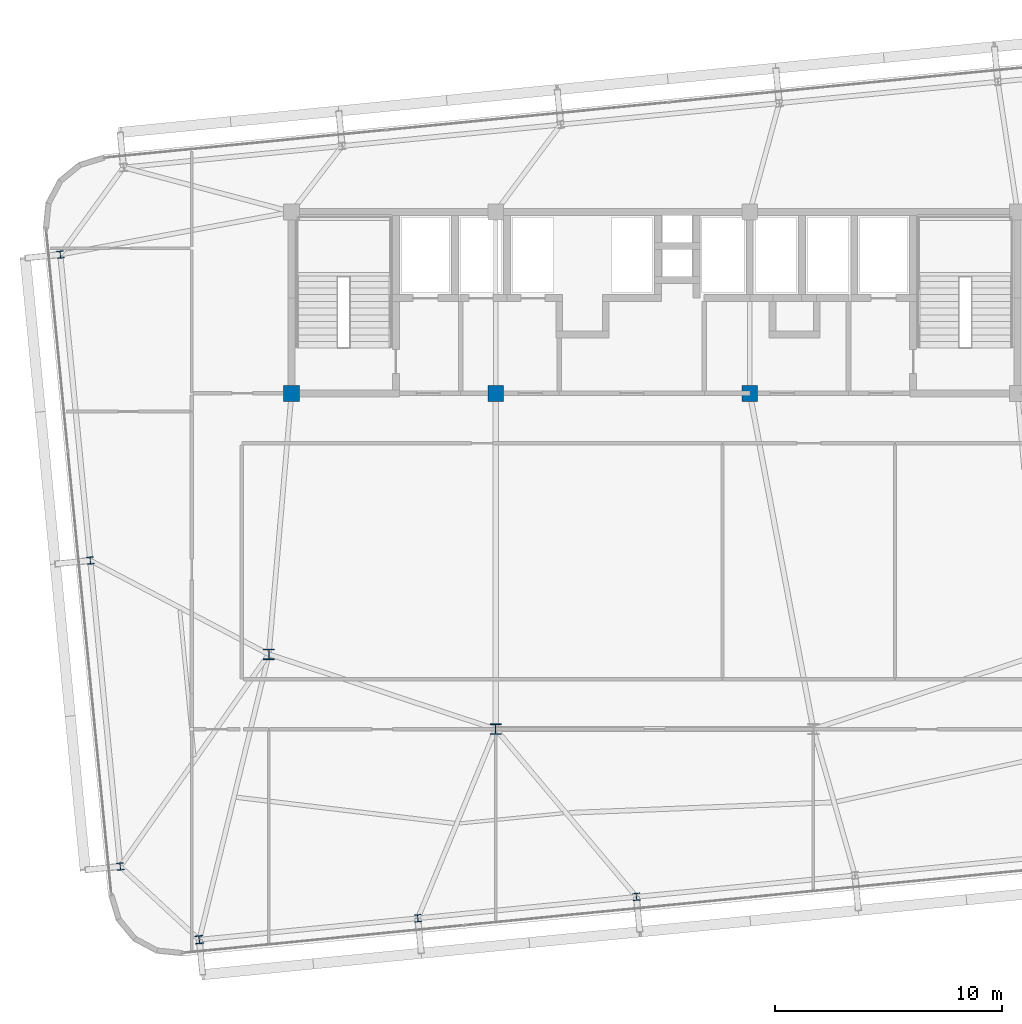
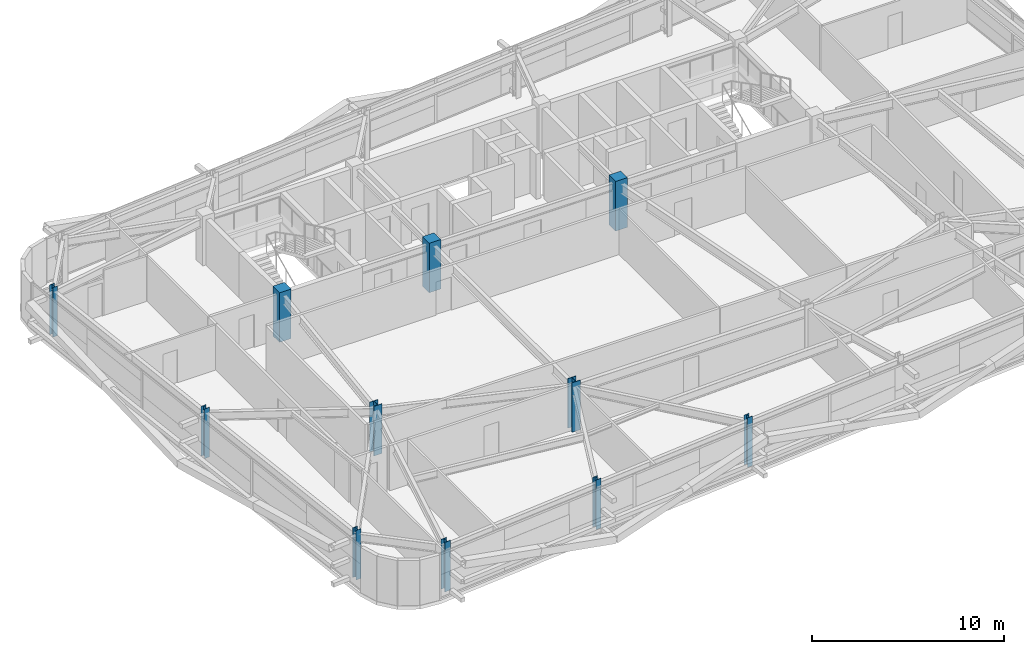
# One storey, part 1 of 47: 11 columns.
"""IFC4 building model written with IfcOpenShell, lengths in metres."""

import ifcopenshell
import ifcopenshell.guid

model = None  # the IFC model being written
_history = None  # IfcOwnerHistory: only IFC2X3 demands one
_inside = {}  # id of a spatial element -> (the spatial element, [elements in it])
_under = {}  # id of a project, library or spatial element -> (it, [spatial elements below it])
_declared = {}  # id of a project -> (the project, [libraries it declares])
_typed = {}  # id of a type object -> (the type object, [elements of that type])
_made_of = {}  # id of a material, layer set ... -> (it, [elements and type objects made of it])


def new_model(schema):
    """Start an empty IFC model of exactly this schema.

    Asked for "IFC4X3", IfcOpenShell would pick the latest addendum, in which some entities
    have other attributes; the version numbers below select the first issue.
    IFC2X3 requires an IfcOwnerHistory on every rooted entity: one is made here for all.
    """
    global model, _history
    if schema == "IFC4X3":
        model = ifcopenshell.file(schema_version=(4, 3, 0, 0))
    else:
        model = ifcopenshell.file(schema=schema)
    _inside.clear()
    _under.clear()
    _declared.clear()
    _typed.clear()
    _made_of.clear()
    _history = None
    if model.schema == "IFC2X3":
        org = make("IfcOrganization", Name="unknown")
        user = make(
            "IfcPersonAndOrganization",
            ThePerson=make("IfcPerson", FamilyName="unknown"),
            TheOrganization=org,
        )
        app = make(
            "IfcApplication",
            ApplicationDeveloper=org,
            Version="unknown",
            ApplicationFullName="unknown",
            ApplicationIdentifier="unknown",
        )
        _history = make(
            "IfcOwnerHistory",
            OwningUser=user,
            OwningApplication=app,
            ChangeAction="ADDED",
            CreationDate=0,
        )
    return model


def make(cls, **values):
    """One entity of the class cls with the attributes given. An attribute that is None is left unset."""
    return model.create_entity(
        cls, **{name: value for name, value in values.items() if value is not None}
    )


def rooted(cls, **values):
    """An entity with a GlobalId (a new one), such as an element, a storey or a relation."""
    return make(cls, GlobalId=ifcopenshell.guid.new(), OwnerHistory=_history, **values)


def si_unit(unit_type, name, prefix=None):
    """IfcSIUnit, for example si_unit("LENGTHUNIT", "METRE", prefix="MILLI")."""
    return make("IfcSIUnit", UnitType=unit_type, Prefix=prefix, Name=name)


def assignment(units):
    """IfcUnitAssignment: the units of a project."""
    return None if units is None else make("IfcUnitAssignment", Units=units)


def point(xyz):
    """IfcCartesianPoint."""
    return None if xyz is None else make("IfcCartesianPoint", Coordinates=xyz)


def direction(xyz):
    """IfcDirection."""
    return None if xyz is None else make("IfcDirection", DirectionRatios=xyz)


def frame(location, z_axis=None, x_axis=None):
    """IfcAxis2Placement3D, a coordinate frame: its origin and axes. An axis left out is left unset."""
    return make(
        "IfcAxis2Placement3D",
        Location=point(location),
        Axis=direction(z_axis),
        RefDirection=direction(x_axis),
    )


def frame_2d(location, x_axis=None):
    """IfcAxis2Placement2D, a coordinate frame in the plane: its origin and x axis."""
    return make(
        "IfcAxis2Placement2D", Location=point(location), RefDirection=direction(x_axis)
    )


def origin():
    """The frame at (0, 0, 0) with its axes left unset."""
    return frame((0.0, 0.0, 0.0))


def origin_2d():
    """The frame at (0, 0) in the plane with its x axis left unset."""
    return frame_2d((0.0, 0.0))


def place(relative_to, where):
    """IfcLocalPlacement: puts the frame where relative to a parent placement (None: the world)."""
    return make(
        "IfcLocalPlacement", PlacementRelTo=relative_to, RelativePlacement=where
    )


def context(
    kind, dimensions, precision=None, world=None, true_north=None, identifier=None
):
    """IfcGeometricRepresentationContext, for example the 3D "Model" context."""
    return make(
        "IfcGeometricRepresentationContext",
        ContextIdentifier=identifier,
        ContextType=kind,
        CoordinateSpaceDimension=dimensions,
        Precision=precision,
        WorldCoordinateSystem=world,
        TrueNorth=true_north,
    )


def subcontext(parent, identifier, kind, view, scale=None):
    """IfcGeometricRepresentationSubContext, for example "Body" below "Model"."""
    return make(
        "IfcGeometricRepresentationSubContext",
        ContextIdentifier=identifier,
        ContextType=kind,
        ParentContext=parent,
        TargetScale=scale,
        TargetView=view,
    )


def project(units=None, contexts=None):
    """IfcProject with its units and contexts."""
    return rooted(
        "IfcProject",
        Name="project",
        RepresentationContexts=contexts,
        UnitsInContext=assignment(units),
    )


def spatial(cls, under=None, at=None, **own):
    """A site, building, storey or space (cls), placed at a placement, below another one or the project."""
    s = rooted(cls, ObjectPlacement=at, **own)
    if under is not None:
        _under.setdefault(under.id(), (under, []))[1].append(s)
    return s


def profile(cls, at=None, kind="AREA", **sizes):
    """A parametric profile (cls). Its sizes go by their IFC names, for example OverallWidth=200.0."""
    return make(cls, ProfileType=kind, Position=at, **sizes)


def rectangle(**sizes):
    """IfcRectangleProfileDef."""
    return profile("IfcRectangleProfileDef", **sizes)


def i_section(**sizes):
    """IfcIShapeProfileDef."""
    return profile("IfcIShapeProfileDef", **sizes)


def extrude(swept, where, along, depth):
    """IfcExtrudedAreaSolid: the profile swept, set in the frame where, extruded along a direction by depth."""
    return make(
        "IfcExtrudedAreaSolid",
        SweptArea=swept,
        Position=where,
        ExtrudedDirection=direction(along),
        Depth=depth,
    )


def shape(context_of_items, identifier, shape_type, items):
    """IfcShapeRepresentation: the items that make up one representation, for example the "Body"."""
    return make(
        "IfcShapeRepresentation",
        ContextOfItems=context_of_items,
        RepresentationIdentifier=identifier,
        RepresentationType=shape_type,
        Items=items,
    )


def source(mapping_origin, context_of_items, identifier, shape_type, items):
    """IfcRepresentationMap: a shape defined once, which mapped items show again and again."""
    return make(
        "IfcRepresentationMap",
        MappingOrigin=mapping_origin,
        MappedRepresentation=shape(context_of_items, identifier, shape_type, items),
    )


def transform(
    local_origin,
    x_axis=None,
    y_axis=None,
    z_axis=None,
    scale=None,
    scale2=None,
    scale3=None,
    uniform=True,
):
    """IfcCartesianTransformationOperator3D, or its non-uniform kind. x_axis, y_axis, z_axis: its Axis1, 2, 3."""
    if uniform:
        return make(
            "IfcCartesianTransformationOperator3D",
            Axis1=direction(x_axis),
            Axis2=direction(y_axis),
            LocalOrigin=point(local_origin),
            Scale=scale,
            Axis3=direction(z_axis),
        )
    return make(
        "IfcCartesianTransformationOperator3DnonUniform",
        Axis1=direction(x_axis),
        Axis2=direction(y_axis),
        LocalOrigin=point(local_origin),
        Scale=scale,
        Axis3=direction(z_axis),
        Scale2=scale2,
        Scale3=scale3,
    )


def mapped(mapping_source, mapping_target):
    """IfcMappedItem: shows the shape of a source again, moved by a transform."""
    return make(
        "IfcMappedItem", MappingSource=mapping_source, MappingTarget=mapping_target
    )


def material(Name=None, Category=None):
    """IfcMaterial."""
    return make("IfcMaterial", Name=Name, Category=Category)


def material_profile(
    of_material, cross_section, Name=None, Category=None, Priority=None
):
    """IfcMaterialProfile: a cross section and its material."""
    return make(
        "IfcMaterialProfile",
        Name=Name,
        Material=of_material,
        Profile=cross_section,
        Priority=Priority,
        Category=Category,
    )


def profile_set(profiles, Name=None, composite=None):
    """IfcMaterialProfileSet."""
    return make(
        "IfcMaterialProfileSet",
        Name=Name,
        MaterialProfiles=profiles,
        CompositeProfile=composite,
    )


def made_of(thing, what):
    """Note that an element or type object is made of a material, layer set ...; save() writes the relation."""
    if what is not None:
        _made_of.setdefault(what.id(), (what, []))[1].append(thing)
    return thing


def type_object(cls, material=None, **own):
    """A type object (cls), such as IfcWallType, which elements share."""
    return made_of(rooted(cls, **own), material)


def element(
    cls,
    number,
    at=None,
    inside=None,
    cuts=None,
    type_object=None,
    material=None,
    context=None,
    identifier="Body",
    shape_type=None,
    held_by="IfcProductDefinitionShape",
    body=None,
    shapes=None,
    **own,
):
    """One element of the class cls, such as IfcWall. Its Tag is "e" and its number.

    at: its placement. inside: the storey or other place that contains it. cuts: it is an
    opening in that element (IfcRelVoidsElement). A single representation is given by context,
    identifier, shape_type and body (its items); several are given by shapes. held_by: the class
    of the entity that holds the representations. save() writes the other relations.
    """
    e = rooted(cls, Tag="e%d" % number, ObjectPlacement=at, **own)
    if body is not None:
        shapes = [shape(context, identifier, shape_type, body)]
    if shapes is not None:
        e.Representation = make(held_by, Representations=shapes)
    if inside is not None:
        _inside.setdefault(inside.id(), (inside, []))[1].append(e)
    if cuts is not None:
        rooted(
            "IfcRelVoidsElement", RelatingBuildingElement=cuts, RelatedOpeningElement=e
        )
    if type_object is not None:
        _typed.setdefault(type_object.id(), (type_object, []))[1].append(e)
    return made_of(e, material)


def aggregate(whole, parts):
    """IfcRelAggregates: a whole, such as a stair, and the parts it consists of."""
    return rooted("IfcRelAggregates", RelatingObject=whole, RelatedObjects=parts)


def save(model, path):
    """Write the relations noted so far, then the file.

    IfcRelAggregates (storeys below a building ...), IfcRelContainedInSpatialStructure (elements
    in a storey), IfcRelDefinesByType, IfcRelAssociatesMaterial and IfcRelDeclares: one each for
    every whole, place, type object, material and project.
    """
    for whole, parts in _under.values():
        aggregate(whole, parts)
    for where, things in _inside.values():
        rooted(
            "IfcRelContainedInSpatialStructure",
            RelatedElements=things,
            RelatingStructure=where,
        )
    for kind, things in _typed.values():
        rooted("IfcRelDefinesByType", RelatedObjects=things, RelatingType=kind)
    for what, things in _made_of.values():
        rooted("IfcRelAssociatesMaterial", RelatedObjects=things, RelatingMaterial=what)
    for by, libraries in _declared.values():
        rooted("IfcRelDeclares", RelatingContext=by, RelatedDefinitions=libraries)
    model.write(path)


model = new_model("IFC4")

# Units and contexts
model_context = context("Model", 3, precision=1e-05, world=origin(), true_north=direction((0.0, 1.0)))
body_context = subcontext(model_context, "Body", "Model", "MODEL_VIEW")
ifc_project = project(units=[si_unit("LENGTHUNIT", "METRE"), si_unit("AREAUNIT", "SQUARE_METRE"), si_unit("VOLUMEUNIT", "CUBIC_METRE"), si_unit("PLANEANGLEUNIT", "RADIAN"), si_unit("MASSUNIT", "GRAM", prefix="KILO")], contexts=[model_context])

# Site, building, storey
site_placement = place(None, origin())
site = spatial("IfcSite", under=ifc_project, at=site_placement, CompositionType="ELEMENT")
building_placement = place(site_placement, origin())
building = spatial("IfcBuilding", under=site, at=building_placement, Name="Taldren Reach Tower", CompositionType="ELEMENT")
storey_placement = place(building_placement, frame((0.0, 0.0, 109.199951171875)))
storey = spatial("IfcBuildingStorey", under=building, at=storey_placement, Name="L33", CompositionType="ELEMENT", Elevation=109.199951171875)

# Columns
ifc_material_1 = material(Name="Steel Gr 350 (350PLUS)", Category="steel")
ifc_material_profile_1 = material_profile(ifc_material_1, i_section(OverallWidth=0.5, OverallDepth=0.464111328125, WebThickness=0.02197265625, FlangeThickness=0.033935546875, at=origin_2d()), Name="500WC340")
ifc_profile_set_1 = profile_set([ifc_material_profile_1], Name="Steel Gr 350 (350PLUS)")
column_type_1 = type_object("IfcColumnType", Name="COL-WC500B", PredefinedType="COLUMN", material=ifc_profile_set_1)
shared_shape_1 = source(origin(), body_context, "Body", "SweptSolid", [
    extrude(i_section(OverallWidth=0.5, OverallDepth=0.464111328125, WebThickness=0.02197265625, FlangeThickness=0.033935546875, at=origin_2d()), origin(), (0.0, 0.0, 1.0), 3.150146484375),
])
for number, where, z_axis, x_axis, name in (
    (1, (28.0, 9.199951171875, 0.0), (0.0, 0.0, 1.0), (1.0, 0.0, 0.0), "Mega column MC-PJW L33"),
    (2, (18.0, 12.5, 0.0), (0.0, 0.0, 1.0), (1.0, 0.0, 0.0), "Mega column MC-SW L33"),
):
    element("IfcColumn", number, at=place(storey_placement, frame(where, z_axis=z_axis, x_axis=x_axis)), inside=storey, type_object=column_type_1, Name=name, PredefinedType="COLUMN", context=body_context, shape_type="MappedRepresentation", body=[
        mapped(shared_shape_1, transform((0.0, 0.0, 0.0), scale=1.0)),
    ])
ifc_material_2 = material(Name="Concrete S65 (65 MPa)", Category="concrete")
ifc_material_profile_2 = material_profile(ifc_material_2, rectangle(XDim=0.699951171875, YDim=0.699951171875, at=origin_2d()), Name="RC-700x700")
ifc_profile_set_2 = profile_set([ifc_material_profile_2], Name="Concrete S65 (65 MPa)")
column_type_2 = type_object("IfcColumnType", Name="COL-RC700", PredefinedType="COLUMN", material=ifc_profile_set_2)
shared_shape_2 = source(origin(), body_context, "Body", "SweptSolid", [
    extrude(rectangle(XDim=0.699951171875, YDim=0.699951171875, at=origin_2d()), origin(), (0.0, 0.0, 1.0), 3.150146484375),
])
for number, where, z_axis, x_axis, name in (
    (3, (19.0, 24.0, 0.0), (0.0, 0.0, 1.0), (1.0, 0.0, 0.0), "Mega column MC-C1 L33"),
    (4, (28.0, 24.0, 0.0), (0.0, 0.0, 1.0), (1.0, 0.0, 0.0), "Mega column MC-C2 L33"),
    (5, (39.199951171875, 24.0, 0.0), (0.0, 0.0, 1.0), (1.0, 0.0, 0.0), "Mega column MC-C3 L33"),
):
    element("IfcColumn", number, at=place(storey_placement, frame(where, z_axis=z_axis, x_axis=x_axis)), inside=storey, type_object=column_type_2, Name=name, PredefinedType="COLUMN", context=body_context, shape_type="MappedRepresentation", body=[
        mapped(shared_shape_2, transform((0.0, 0.0, 0.0), scale=1.0)),
    ])
ifc_material_profile_3 = material_profile(ifc_material_1, i_section(OverallWidth=0.35009765625, OverallDepth=0.35595703125, WebThickness=0.01806640625, FlangeThickness=0.028076171875, at=origin_2d()), Name="350WC197")
ifc_profile_set_3 = profile_set([ifc_material_profile_3], Name="Steel Gr 350 (350PLUS)")
column_type_3 = type_object("IfcColumnType", Name="COL-WC350", PredefinedType="COLUMN", material=ifc_profile_set_3)
shared_shape_3 = source(origin(), body_context, "Body", "SweptSolid", [
    extrude(i_section(OverallWidth=0.35009765625, OverallDepth=0.35595703125, WebThickness=0.01806640625, FlangeThickness=0.028076171875, at=origin_2d()), origin(), (0.0, 0.0, 1.0), 3.150146484375),
])
column_placement = place(storey_placement, frame((14.93408203125, -0.079833984375, 0.0), z_axis=(0.0, 0.0, 1.0), x_axis=(0.995227399982, 0.097582899759, 0.0)))
element("IfcColumn", 6, at=column_placement, inside=storey, type_object=column_type_3, Name="Block B2 perimeter column S1 L33", PredefinedType="COLUMN", context=body_context, shape_type="MappedRepresentation", body=[
    mapped(shared_shape_3, transform((0.0, 0.0, 0.0), scale=1.0)),
])
ifc_material_profile_4 = material_profile(ifc_material_1, i_section(OverallWidth=0.306884765625, OverallDepth=0.31494140625, WebThickness=0.011962890625, FlangeThickness=0.018798828125, at=origin_2d()), Name="310UC118")
ifc_profile_set_4 = profile_set([ifc_material_profile_4], Name="Steel Gr 350 (350PLUS)")
column_type_4 = type_object("IfcColumnType", Name="COL-UC310B", PredefinedType="COLUMN", material=ifc_profile_set_4)
shared_shape_4 = source(origin(), body_context, "Body", "SweptSolid", [
    extrude(i_section(OverallWidth=0.306884765625, OverallDepth=0.31494140625, WebThickness=0.011962890625, FlangeThickness=0.018798828125, at=origin_2d()), origin(), (0.0, 0.0, 1.0), 3.150146484375),
])
for number, where, z_axis, x_axis, name in (
    (7, (24.56787109375, 0.86474609375, 0.0), (0.0, 0.0, 1.0), (0.995227399982, 0.097582899759, 0.0), "Block B2 perimeter column S2 L33"),
    (8, (34.20166015625, 1.809326171875, 0.0), (0.0, 0.0, 1.0), (0.995227399982, 0.097582899759, 0.0), "Block B2 perimeter column S3 L33"),
    (9, (11.452880859375, 3.145751953125, 0.0), (0.0, 0.0, 1.0), (0.995227399982, 0.097582899759, 0.0), "Block B2 perimeter column W1 L33"),
    (10, (10.130615234375, 16.631103515625, 0.0), (0.0, 0.0, 1.0), (0.995227399982, 0.097582899759, 0.0), "Block B2 perimeter column W2 L33"),
    (11, (8.808349609375, 30.116455078125, 0.0), (0.0, 0.0, 1.0), (0.995227399982, 0.097582899759, 0.0), "Block B2 perimeter column W3 L33"),
):
    element("IfcColumn", number, at=place(storey_placement, frame(where, z_axis=z_axis, x_axis=x_axis)), inside=storey, type_object=column_type_4, Name=name, PredefinedType="COLUMN", context=body_context, shape_type="MappedRepresentation", body=[
        mapped(shared_shape_4, transform((0.0, 0.0, 0.0), scale=1.0)),
    ])

save(model, "model.ifc")
